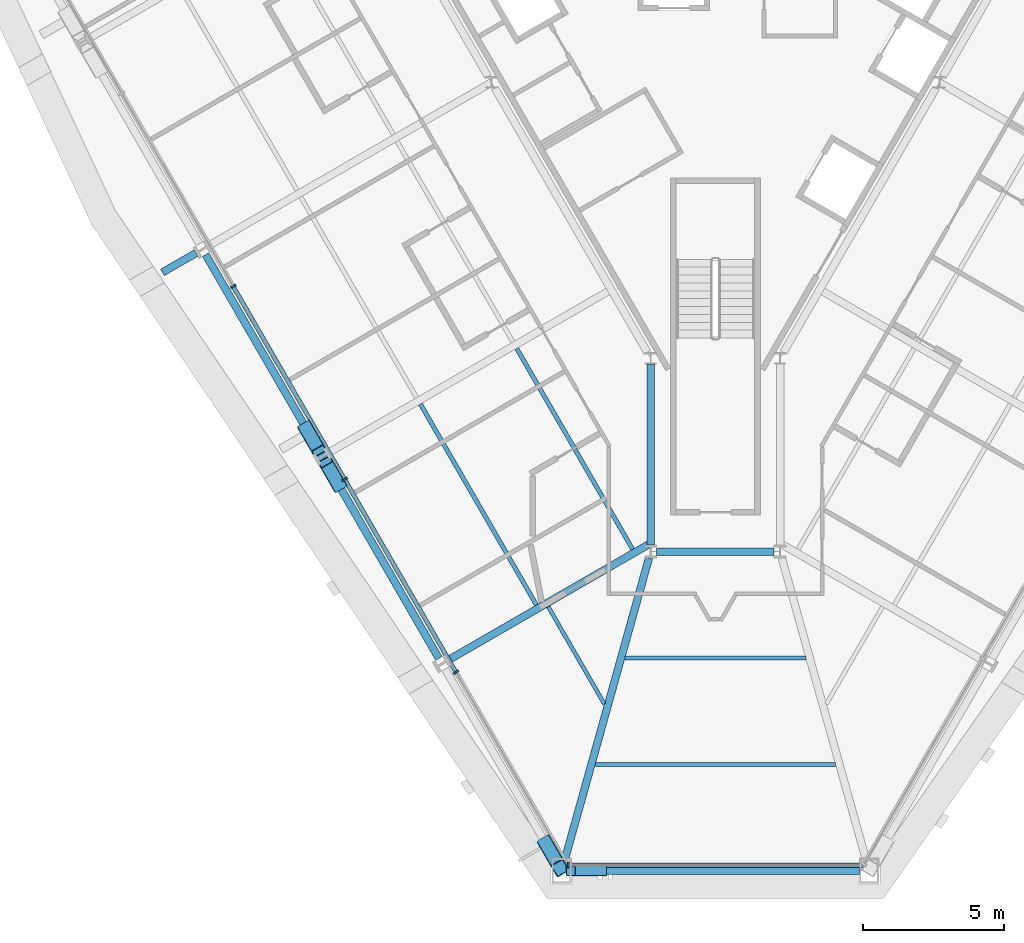
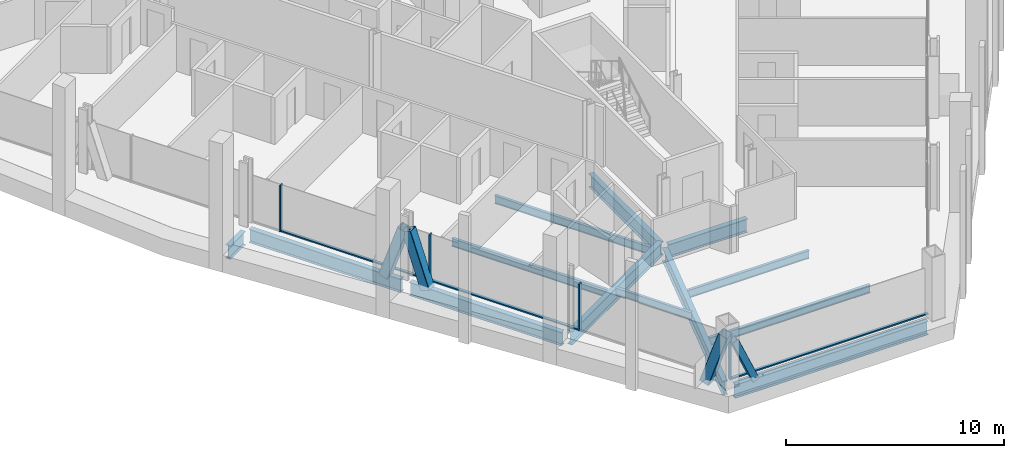
# One storey, part 3 of 19: 13 beams, 11 members, 2 elements without a shape of their own.
"""IFC4 building model written with IfcOpenShell, lengths in metres."""

from ifc_helpers import new_model, si_unit, direction, frame, origin, origin_2d, place, context, subcontext, project, spatial, rectangle, hollow_rectangle, i_section, extrude, material, material_profile, profile_set, type_object, element, aggregate, save


model = new_model("IFC4")

# Units and contexts
model_context = context("Model", 3, precision=1e-05, world=origin(), true_north=direction((0.0, 1.0)))
body_context = subcontext(model_context, "Body", "Model", "MODEL_VIEW")
ifc_project = project(units=[si_unit("LENGTHUNIT", "METRE"), si_unit("AREAUNIT", "SQUARE_METRE"), si_unit("VOLUMEUNIT", "CUBIC_METRE"), si_unit("PLANEANGLEUNIT", "RADIAN"), si_unit("MASSUNIT", "GRAM", prefix="KILO")], contexts=[model_context])

# Site, building, storey
site_placement = place(None, origin())
site = spatial("IfcSite", under=ifc_project, at=site_placement, CompositionType="ELEMENT")
building_placement = place(site_placement, origin())
building = spatial("IfcBuilding", under=site, at=building_placement, Name="Verrane Prism Tower", CompositionType="ELEMENT")
storey_placement = place(building_placement, frame((0.0, 0.0, 58.39990234375)))
storey = spatial("IfcBuildingStorey", under=building, at=storey_placement, Name="L12", CompositionType="ELEMENT", Elevation=58.39990234375)

# Member
ifc_material_1 = material(Name="Steel A500 Grade C", Category="steel")
ifc_material_profile_1 = material_profile(ifc_material_1, hollow_rectangle(XDim=0.355712890625, YDim=0.355712890625, WallThickness=0.0126953125, InnerFilletRadius=0.00634765625, OuterFilletRadius=0.01904296875, at=origin_2d()), Name="HSS14x14x1/2")
ifc_profile_set_1 = profile_set([ifc_material_profile_1], Name="Steel A500 Grade C")
member_type_1 = type_object("IfcMemberType", Name="Chamfer brace HSS14x14x1/2", PredefinedType="BRACE", material=ifc_profile_set_1)
member_1_placement = place(storey_placement, frame((-4.03662109375, -32.659912109375, -0.2451171875), z_axis=(-0.398215132845, 0.0, 0.917292051624), x_axis=(0.0, -1.0, 0.0)))
element("IfcMember", 1, at=member_1_placement, inside=storey, type_object=member_type_1, Name="Chamfer brace S0 L12", PredefinedType="BRACE", context=body_context, shape_type="SweptSolid", body=[
    extrude(hollow_rectangle(XDim=0.355712890625, YDim=0.355712890625, WallThickness=0.0126953125, InnerFilletRadius=0.00634765625, OuterFilletRadius=0.01904296875, at=origin_2d()), origin(), (0.0, 0.0, 1.0), 2.795654296875),
])

# Beams
ifc_material_2 = material(Name="Steel A992", Category="steel")
ifc_material_profile_2 = material_profile(ifc_material_2, i_section(OverallWidth=0.2666015625, OverallDepth=0.76708984375, WebThickness=0.014892578125, FlangeThickness=0.023681640625, FilletRadius=0.0166015625, at=origin_2d()), Name="W30x124")
ifc_profile_set_2 = profile_set([ifc_material_profile_2], Name="Steel A992")
beam_type_1 = type_object("IfcBeamType", Name="Chamfer spandrel beam W30x124", PredefinedType="SPANDREL", material=ifc_profile_set_2)
beam_1_placement = place(storey_placement, frame((-5.1201171875, -32.659912109375, -0.54345703125), z_axis=(1.0, 0.0, 0.0), x_axis=(0.0, 1.0, 0.0)))
element("IfcBeam", 2, at=beam_1_placement, inside=storey, type_object=beam_type_1, Name="Chamfer spandrel beam L12", PredefinedType="SPANDREL", context=body_context, shape_type="SweptSolid", body=[
    extrude(i_section(OverallWidth=0.2666015625, OverallDepth=0.76708984375, WebThickness=0.014892578125, FlangeThickness=0.023681640625, FilletRadius=0.0166015625, at=origin_2d()), origin(), (0.0, 0.0, 1.0), 10.240234375),
])
ifc_material_3 = material(Name="Steel A992", Category="steel")
ifc_material_profile_3 = material_profile(ifc_material_3, i_section(OverallWidth=0.2666015625, OverallDepth=0.7568359375, WebThickness=0.013916015625, FlangeThickness=0.019287109375, FilletRadius=0.0166015625, at=origin_2d()), Name="W30x108")
ifc_profile_set_3 = profile_set([ifc_material_profile_3], Name="Steel A992")
beam_type_2 = type_object("IfcBeamType", Name="Core ring girder W30x108", PredefinedType="BEAM", material=ifc_profile_set_3)
beam_2_placement = place(storey_placement, frame((-2.300048828125, -14.62841796875, -0.62841796875), z_axis=(0.0, -1.0, 0.0), x_axis=(1.0, 0.0, 0.0)))
element("IfcBeam", 3, at=beam_2_placement, inside=storey, type_object=beam_type_2, Name="Core ring girder L12", PredefinedType="BEAM", context=body_context, shape_type="SweptSolid", body=[
    extrude(i_section(OverallWidth=0.2666015625, OverallDepth=0.7568359375, WebThickness=0.013916015625, FlangeThickness=0.019287109375, FilletRadius=0.0166015625, at=origin_2d()), origin(), (0.0, 0.0, 1.0), 6.4443359375),
])
beam_3_placement = place(storey_placement, frame((-2.09033203125, -21.300048828125, -0.62841796875), z_axis=(1.0, 0.0, 0.0), x_axis=(0.0, 1.0, 0.0)))
element("IfcBeam", 4, at=beam_3_placement, inside=storey, type_object=beam_type_2, Name="Core ring girder L12", PredefinedType="BEAM", context=body_context, shape_type="SweptSolid", body=[
    extrude(i_section(OverallWidth=0.2666015625, OverallDepth=0.7568359375, WebThickness=0.013916015625, FlangeThickness=0.019287109375, FilletRadius=0.0166015625, at=origin_2d()), origin(), (0.0, 0.0, 1.0), 4.1806640625),
])
ifc_material_4 = material(Name="Steel A992", Category="steel")
ifc_material_profile_4 = material_profile(ifc_material_4, i_section(OverallWidth=0.2666015625, OverallDepth=0.76708984375, WebThickness=0.014892578125, FlangeThickness=0.023681640625, FilletRadius=0.0166015625, at=origin_2d()), Name="W30x124")
ifc_profile_set_4 = profile_set([ifc_material_profile_4], Name="Steel A992")
beam_type_3 = type_object("IfcBeamType", Name="Corner girder W30x124", PredefinedType="BEAM", material=ifc_profile_set_4)
beam_4_placement = place(storey_placement, frame((-5.344482421875, -32.2099609375, -0.603515625), z_axis=(0.268799442753, 0.963196168792, 0.0), x_axis=(-0.963196168792, 0.268799442753, 0.0)))
element("IfcBeam", 5, at=beam_4_placement, inside=storey, type_object=beam_type_3, Name="Corner girder L12", PredefinedType="BEAM", context=body_context, shape_type="SweptSolid", body=[
    extrude(i_section(OverallWidth=0.2666015625, OverallDepth=0.76708984375, WebThickness=0.014892578125, FlangeThickness=0.023681640625, FilletRadius=0.0166015625, at=origin_2d()), origin(), (0.0, 0.0, 1.0), 11.0908203125),
])

# Members
ifc_material_5 = material(Name="Steel A1085 Grade A", Category="steel")
ifc_material_profile_5 = material_profile(ifc_material_5, hollow_rectangle(XDim=0.508056640625, YDim=0.508056640625, WallThickness=0.025390625, InnerFilletRadius=0.0126953125, OuterFilletRadius=0.0380859375, at=origin_2d()), Name="HSS20x20x1")
ifc_profile_set_5 = profile_set([ifc_material_profile_5], Name="Steel A1085 Grade A")
member_type_2 = type_object("IfcMemberType", Name="Facade brace HSS20x20x1", PredefinedType="BRACE", material=ifc_profile_set_5)
member_2_placement = place(storey_placement, frame((-14.548583984375, -16.943603515625, -0.242431640625), z_axis=(0.160175702727, -0.277107088051, 0.947394007796), x_axis=(0.865771154116, 0.500440114999, 0.0)))
element("IfcMember", 6, at=member_2_placement, inside=storey, type_object=member_type_2, Name="Facade brace SW3 L12", PredefinedType="BRACE", context=body_context, shape_type="SweptSolid", body=[
    extrude(hollow_rectangle(XDim=0.508056640625, YDim=0.508056640625, WallThickness=0.025390625, InnerFilletRadius=0.0126953125, OuterFilletRadius=0.0380859375, at=origin_2d()), origin(), (0.0, 0.0, 1.0), 3.127685546875),
])
member_3_placement = place(storey_placement, frame((-13.431396484375, -18.877685546875, -0.242431640625), z_axis=(-0.160158369924, 0.277467351404, 0.947291489167), x_axis=(-0.866076057046, -0.499912255713, 0.0)))
element("IfcMember", 7, at=member_3_placement, inside=storey, type_object=member_type_2, Name="Facade brace SW4 L12", PredefinedType="BRACE", context=body_context, shape_type="SweptSolid", body=[
    extrude(hollow_rectangle(XDim=0.508056640625, YDim=0.508056640625, WallThickness=0.025390625, InnerFilletRadius=0.0126953125, OuterFilletRadius=0.0380859375, at=origin_2d()), origin(), (0.0, 0.0, 1.0), 3.1279296875),
])
member_4_placement = place(storey_placement, frame((-6.028564453125, -31.693603515625, -0.242431640625), z_axis=(0.160175702727, -0.277107088051, 0.947394007796), x_axis=(0.865771154116, 0.500440114999, 0.0)))
element("IfcMember", 8, at=member_4_placement, inside=storey, type_object=member_type_2, Name="Facade brace SW5 L12", PredefinedType="BRACE", context=body_context, shape_type="SweptSolid", body=[
    extrude(hollow_rectangle(XDim=0.508056640625, YDim=0.508056640625, WallThickness=0.025390625, InnerFilletRadius=0.0126953125, OuterFilletRadius=0.0380859375, at=origin_2d()), origin(), (0.0, 0.0, 1.0), 3.127685546875),
])

# Beams
ifc_material_6 = material(Name="Steel A992", Category="steel")
ifc_material_profile_6 = material_profile(ifc_material_6, i_section(OverallWidth=0.140380859375, OverallDepth=0.40380859375, WebThickness=0.007080078125, FlangeThickness=0.01123046875, FilletRadius=0.01025390625, at=origin_2d()), Name="W16x31")
ifc_profile_set_6 = profile_set([ifc_material_profile_6], Name="Steel A992")
beam_type_4 = type_object("IfcBeamType", Name="Floor beam W16x31", PredefinedType="BEAM", material=ifc_profile_set_6)
beam_5_placement = place(storey_placement, frame((-3.950927734375, -26.719970703125, -0.36181640625), z_axis=(-0.499997556188, 0.866026814715, 0.0), x_axis=(-0.866026814715, -0.499997556188, 0.0)))
element("IfcBeam", 9, at=beam_5_placement, inside=storey, type_object=beam_type_4, Name="Floor beam L12", PredefinedType="BEAM", context=body_context, shape_type="SweptSolid", body=[
    extrude(i_section(OverallWidth=0.140380859375, OverallDepth=0.40380859375, WebThickness=0.007080078125, FlangeThickness=0.01123046875, FilletRadius=0.01025390625, at=origin_2d()), origin(), (0.0, 0.0, 1.0), 3.99462890625),
])
ifc_material_7 = material(Name="Steel A992", Category="steel")
ifc_material_profile_7 = material_profile(ifc_material_7, i_section(OverallWidth=0.15234375, OverallDepth=0.449462890625, WebThickness=0.007568359375, FlangeThickness=0.0107421875, FilletRadius=0.01025390625, at=origin_2d()), Name="W18x35")
ifc_profile_set_7 = profile_set([ifc_material_profile_7], Name="Steel A992")
beam_type_5 = type_object("IfcBeamType", Name="Floor beam W18x35", PredefinedType="BEAM", material=ifc_profile_set_7)
beam_6_placement = place(storey_placement, frame((-2.944091796875, -21.2177734375, -0.384765625), z_axis=(-0.499989680267, 0.866031361803, 0.0), x_axis=(-0.866031361803, -0.499989680267, 0.0)))
element("IfcBeam", 10, at=beam_6_placement, inside=storey, type_object=beam_type_5, Name="Floor beam L12", PredefinedType="BEAM", context=body_context, shape_type="SweptSolid", body=[
    extrude(i_section(OverallWidth=0.15234375, OverallDepth=0.449462890625, WebThickness=0.007568359375, FlangeThickness=0.0107421875, FilletRadius=0.01025390625, at=origin_2d()), origin(), (0.0, 0.0, 1.0), 8.251220703125),
])
beam_7_placement = place(storey_placement, frame((-6.370361328125, -23.196044921875, -0.384765625), z_axis=(-0.499992194788, 0.866029910079, 0.0), x_axis=(-0.866029910079, -0.499992194788, 0.0)))
element("IfcBeam", 11, at=beam_7_placement, inside=storey, type_object=beam_type_5, Name="Floor beam L12", PredefinedType="BEAM", context=body_context, shape_type="SweptSolid", body=[
    extrude(i_section(OverallWidth=0.15234375, OverallDepth=0.449462890625, WebThickness=0.007568359375, FlangeThickness=0.0107421875, FilletRadius=0.01025390625, at=origin_2d()), origin(), (0.0, 0.0, 1.0), 8.252685546875),
])
beam_8_placement = place(storey_placement, frame((-4.274658203125, -28.873291015625, -0.384765625), z_axis=(1.0, 0.0, 0.0), x_axis=(0.0, 1.0, 0.0)))
element("IfcBeam", 12, at=beam_8_placement, inside=storey, type_object=beam_type_5, Name="Floor beam L12", PredefinedType="BEAM", context=body_context, shape_type="SweptSolid", body=[
    extrude(i_section(OverallWidth=0.15234375, OverallDepth=0.449462890625, WebThickness=0.007568359375, FlangeThickness=0.0107421875, FilletRadius=0.01025390625, at=origin_2d()), origin(), (0.0, 0.0, 1.0), 8.54931640625),
])
beam_9_placement = place(storey_placement, frame((-3.218017578125, -25.086669921875, -0.384765625), z_axis=(1.0, 0.0, 0.0), x_axis=(0.0, 1.0, 0.0)))
element("IfcBeam", 13, at=beam_9_placement, inside=storey, type_object=beam_type_5, Name="Floor beam L12", PredefinedType="BEAM", context=body_context, shape_type="SweptSolid", body=[
    extrude(i_section(OverallWidth=0.15234375, OverallDepth=0.449462890625, WebThickness=0.007568359375, FlangeThickness=0.0107421875, FilletRadius=0.01025390625, at=origin_2d()), origin(), (0.0, 0.0, 1.0), 6.43603515625),
])

# Curtain wall, members
ifc_material_8 = material(Name="Aluminium framed insulated glazing", Category="aluminium")
curtain_wall_type = type_object("IfcCurtainWallType", Name="Curtain wall CW-A 8400 module", PredefinedType="NOTDEFINED", material=ifc_material_8)
curtain_wall_1_placement = place(storey_placement, origin())
curtain_wall_1 = element("IfcCurtainWall", 14, at=curtain_wall_1_placement, inside=storey, type_object=curtain_wall_type, Name="Glazed curtain wall south-west face L12", PredefinedType="NOTDEFINED")
ifc_material_9 = material(Name="Aluminium alloy 6063-T6", Category="aluminium")
ifc_material_profile_8 = material_profile(ifc_material_9, rectangle(XDim=0.199951171875, YDim=0.070068359375, at=origin_2d()), Name="Mullion 70x200 aluminium")
ifc_profile_set_8 = profile_set([ifc_material_profile_8], Name="Aluminium alloy 6063-T6")
member_type_3 = type_object("IfcMemberType", Name="Mullion 70x200 aluminium", PredefinedType="MULLION", material=ifc_profile_set_8)
member_5_placement = place(storey_placement, frame((-17.1591796875, -11.861328125, 0.0), z_axis=(0.0, 0.0, 1.0), x_axis=(0.866025602176, 0.499999656376, 0.0)))
member_5 = element("IfcMember", 15, at=member_5_placement, type_object=member_type_3, Name="CW12.4 mullion 3", PredefinedType="MULLION", context=body_context, shape_type="SweptSolid", body=[
    extrude(rectangle(XDim=0.199951171875, YDim=0.070068359375, at=origin_2d()), origin(), (0.0, 0.0, 1.0), 2.613037109375),
])
member_6_placement = place(storey_placement, frame((-13.1953125, -18.726806640625, 0.0), z_axis=(0.0, 0.0, 1.0), x_axis=(0.866025602176, 0.499999656376, 0.0)))
member_6 = element("IfcMember", 16, at=member_6_placement, type_object=member_type_3, Name="CW12.4 mullion 4", PredefinedType="MULLION", context=body_context, shape_type="SweptSolid", body=[
    extrude(rectangle(XDim=0.199951171875, YDim=0.070068359375, at=origin_2d()), origin(), (0.0, 0.0, 1.0), 2.613037109375),
])
member_7_placement = place(storey_placement, frame((-9.231689453125, -25.59228515625, 0.0), z_axis=(0.0, 0.0, 1.0), x_axis=(0.866025602176, 0.499999656376, 0.0)))
member_7 = element("IfcMember", 17, at=member_7_placement, type_object=member_type_3, Name="CW12.4 mullion 5", PredefinedType="MULLION", context=body_context, shape_type="SweptSolid", body=[
    extrude(rectangle(XDim=0.199951171875, YDim=0.070068359375, at=origin_2d()), origin(), (0.0, 0.0, 1.0), 2.613037109375),
])

# Curtain wall, member
curtain_wall_2_placement = place(storey_placement, origin())
curtain_wall_2 = element("IfcCurtainWall", 18, at=curtain_wall_2_placement, inside=storey, type_object=curtain_wall_type, Name="Glazed curtain wall south corner L12", PredefinedType="NOTDEFINED")
member_8_placement = place(storey_placement, frame((-5.23291015625, -32.457763671875, 0.0), z_axis=(0.0, 0.0, 1.0), x_axis=(0.0, 1.0, 0.0)))
member_8 = element("IfcMember", 19, at=member_8_placement, type_object=member_type_3, Name="CW12.5 mullion 1", PredefinedType="MULLION", context=body_context, shape_type="SweptSolid", body=[
    extrude(rectangle(XDim=0.199951171875, YDim=0.070068359375, at=origin_2d()), origin(), (0.0, 0.0, 1.0), 2.613037109375),
])

# Beams
ifc_material_10 = material(Name="Steel A992", Category="steel")
ifc_material_profile_9 = material_profile(ifc_material_10, i_section(OverallWidth=0.2666015625, OverallDepth=0.76708984375, WebThickness=0.014892578125, FlangeThickness=0.023681640625, FilletRadius=0.0166015625, at=origin_2d()), Name="W30x124")
ifc_profile_set_9 = profile_set([ifc_material_profile_9], Name="Steel A992")
beam_type_6 = type_object("IfcBeamType", Name="Radial girder W30x124", PredefinedType="BEAM", material=ifc_profile_set_9)
beam_10_placement = place(storey_placement, frame((-9.5, -25.1572265625, -0.603515625), z_axis=(0.86602078527, 0.500007999416, 0.0), x_axis=(-0.500007999416, 0.86602078527, 0.0)))
element("IfcBeam", 20, at=beam_10_placement, inside=storey, type_object=beam_type_6, Name="Radial girder L12", PredefinedType="BEAM", context=body_context, shape_type="SweptSolid", body=[
    extrude(i_section(OverallWidth=0.2666015625, OverallDepth=0.76708984375, WebThickness=0.014892578125, FlangeThickness=0.023681640625, FilletRadius=0.0166015625, at=origin_2d()), origin(), (0.0, 0.0, 1.0), 8.313720703125),
])
beam_11_placement = place(storey_placement, frame((-18.476318359375, -10.670654296875, -0.603515625), z_axis=(-0.866036123695, -0.499981432111, 0.0), x_axis=(0.499981432111, -0.866036123695, 0.0)))
element("IfcBeam", 21, at=beam_11_placement, inside=storey, type_object=beam_type_6, Name="Cantilever girder L12", PredefinedType="BEAM", context=body_context, shape_type="SweptSolid", body=[
    extrude(i_section(OverallWidth=0.2666015625, OverallDepth=0.76708984375, WebThickness=0.014892578125, FlangeThickness=0.023681640625, FilletRadius=0.0166015625, at=origin_2d()), origin(), (0.0, 0.0, 1.0), 1.38720703125),
])
ifc_material_11 = material(Name="Steel A992", Category="steel")
ifc_material_profile_10 = material_profile(ifc_material_11, i_section(OverallWidth=0.2666015625, OverallDepth=0.7568359375, WebThickness=0.013916015625, FlangeThickness=0.019287109375, FilletRadius=0.0166015625, at=origin_2d()), Name="W30x108")
ifc_profile_set_10 = profile_set([ifc_material_profile_10], Name="Steel A992")
beam_type_7 = type_object("IfcBeamType", Name="Spandrel beam W30x108", PredefinedType="SPANDREL", material=ifc_profile_set_10)
beam_12_placement = place(storey_placement, frame((-18.139404296875, -10.731201171875, -0.538330078125), z_axis=(0.500423240289, -0.865780907955, 0.0), x_axis=(0.865780907955, 0.500423240289, 0.0)))
element("IfcBeam", 22, at=beam_12_placement, inside=storey, type_object=beam_type_7, Name="Spandrel beam L12", PredefinedType="SPANDREL", context=body_context, shape_type="SweptSolid", body=[
    extrude(i_section(OverallWidth=0.2666015625, OverallDepth=0.7568359375, WebThickness=0.013916015625, FlangeThickness=0.019287109375, FilletRadius=0.0166015625, at=origin_2d()), origin(), (0.0, 0.0, 1.0), 8.07080078125),
])
beam_13_placement = place(storey_placement, frame((-13.87939453125, -18.101318359375, -0.538330078125), z_axis=(0.499899459246, -0.866083443235, 0.0), x_axis=(0.866083443235, 0.499899459246, 0.0)))
element("IfcBeam", 23, at=beam_13_placement, inside=storey, type_object=beam_type_7, Name="Spandrel beam L12", PredefinedType="SPANDREL", context=body_context, shape_type="SweptSolid", body=[
    extrude(i_section(OverallWidth=0.2666015625, OverallDepth=0.7568359375, WebThickness=0.013916015625, FlangeThickness=0.019287109375, FilletRadius=0.0166015625, at=origin_2d()), origin(), (0.0, 0.0, 1.0), 8.079345703125),
])

# Member
ifc_material_12 = material(Name="Aluminium alloy 6063-T6", Category="aluminium")
ifc_material_profile_11 = material_profile(ifc_material_12, rectangle(XDim=0.14990234375, YDim=0.070068359375, at=origin_2d()), Name="Transom 70x150 aluminium")
ifc_profile_set_11 = profile_set([ifc_material_profile_11], Name="Aluminium alloy 6063-T6")
member_type_4 = type_object("IfcMemberType", Name="Transom 70x150 aluminium", PredefinedType="USERDEFINED", material=ifc_profile_set_11)
member_9_placement = place(storey_placement, frame((-17.1416015625, -11.8916015625, 0.03515625), z_axis=(0.499988720078, -0.866031916153, 0.0), x_axis=(0.866031916153, 0.499988720078, 0.0)))
member_9 = element("IfcMember", 24, at=member_9_placement, type_object=member_type_4, Name="CW12.4 transom 3", ObjectType="TRANSOM", PredefinedType="USERDEFINED", context=body_context, shape_type="SweptSolid", body=[
    extrude(rectangle(XDim=0.14990234375, YDim=0.070068359375, at=origin_2d()), origin(), (0.0, 0.0, 1.0), 7.857666015625),
])

member_10_placement = place(storey_placement, frame((-13.177978515625, -18.757080078125, 0.03515625), z_axis=(0.499988720078, -0.866031916153, 0.0), x_axis=(0.866031916153, 0.499988720078, 0.0)))
member_10 = element("IfcMember", 25, at=member_10_placement, type_object=member_type_4, Name="CW12.4 transom 4", ObjectType="TRANSOM", PredefinedType="USERDEFINED", context=body_context, shape_type="SweptSolid", body=[
    extrude(rectangle(XDim=0.14990234375, YDim=0.070068359375, at=origin_2d()), origin(), (0.0, 0.0, 1.0), 7.857666015625),
])

aggregate(curtain_wall_1, [member_5, member_6, member_7, member_9, member_10])

member_11_placement = place(storey_placement, frame((-5.197998046875, -32.457763671875, 0.03515625), z_axis=(1.0, 0.0, 0.0), x_axis=(0.0, 1.0, 0.0)))
member_11 = element("IfcMember", 26, at=member_11_placement, type_object=member_type_4, Name="CW12.5 transom 1", ObjectType="TRANSOM", PredefinedType="USERDEFINED", context=body_context, shape_type="SweptSolid", body=[
    extrude(rectangle(XDim=0.14990234375, YDim=0.070068359375, at=origin_2d()), origin(), (0.0, 0.0, 1.0), 10.4658203125),
])

aggregate(curtain_wall_2, [member_8, member_11])

save(model, "model.ifc")
